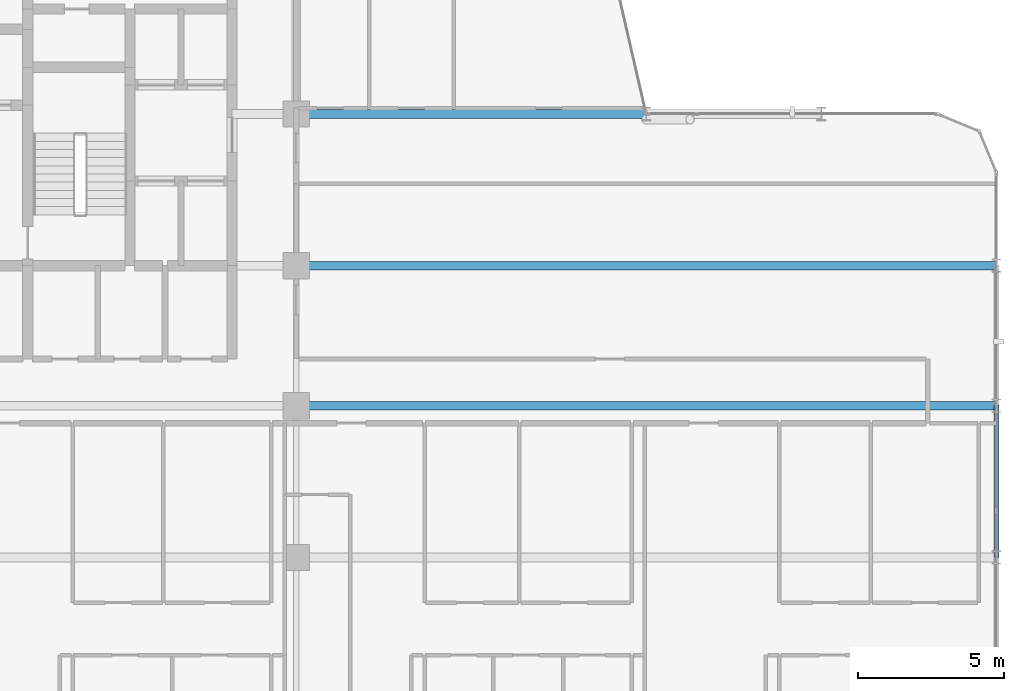
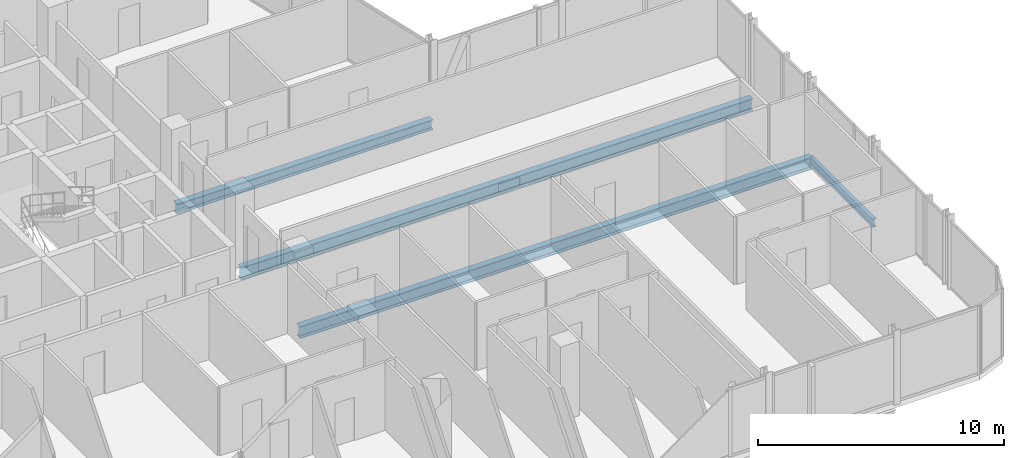
# One storey, part 13 of 29: 4 beams.
"""IFC4 building model written with IfcOpenShell, lengths in metres."""

from ifc_helpers import new_model, si_unit, direction, frame, origin, origin_2d, place, context, subcontext, project, spatial, i_section, extrude, material, material_profile, profile_set, type_object, element, save


model = new_model("IFC4")

# Units and contexts
model_context = context("Model", 3, precision=1e-05, world=origin(), true_north=direction((0.0, 1.0)))
body_context = subcontext(model_context, "Body", "Model", "MODEL_VIEW")
ifc_project = project(units=[si_unit("LENGTHUNIT", "METRE"), si_unit("AREAUNIT", "SQUARE_METRE"), si_unit("VOLUMEUNIT", "CUBIC_METRE"), si_unit("PLANEANGLEUNIT", "RADIAN"), si_unit("MASSUNIT", "GRAM", prefix="KILO")], contexts=[model_context])

# Site, building, storey
site_placement = place(None, origin())
site = spatial("IfcSite", under=ifc_project, at=site_placement, CompositionType="ELEMENT")
building_placement = place(site_placement, origin())
building = spatial("IfcBuilding", under=site, at=building_placement, Name="Keshet Zoharim Tower", CompositionType="ELEMENT")
storey_placement = place(building_placement, frame((0.0, 0.0, 180.199951171875)))
storey = spatial("IfcBuildingStorey", under=building, at=storey_placement, Name="L44", CompositionType="ELEMENT", Elevation=180.199951171875)

# Beams
ifc_material = material(Name="Steel S355", Category="steel")
ifc_material_profile_1 = material_profile(ifc_material, i_section(OverallWidth=0.300048828125, OverallDepth=0.60009765625, WebThickness=0.015380859375, FlangeThickness=0.030029296875, FilletRadius=0.027099609375, at=origin_2d()), Name="HEB600")
ifc_profile_set_1 = profile_set([ifc_material_profile_1], Name="Steel S355")
beam_type_1 = type_object("IfcBeamType", Name="BM-LNG-HB600", PredefinedType="BEAM", material=ifc_profile_set_1)
for number, where, z_axis, x_axis, name in (
    (1, (33.0, 17.89990234375, -0.60986328125), (1.0, 0.0, 0.0), (0.0, 1.0, 0.0), "L44 Primary Girder X-013"),
    (2, (33.0, 22.699951171875, -0.60986328125), (1.0, 0.0, 0.0), (0.0, 1.0, 0.0), "L44 Primary Girder X-014"),
):
    element("IfcBeam", number, at=place(storey_placement, frame(where, z_axis=z_axis, x_axis=x_axis)), inside=storey, type_object=beam_type_1, Name=name, PredefinedType="BEAM", context=body_context, shape_type="SweptSolid", body=[
        extrude(i_section(OverallWidth=0.300048828125, OverallDepth=0.60009765625, WebThickness=0.015380859375, FlangeThickness=0.030029296875, FilletRadius=0.027099609375, at=origin_2d()), origin(), (0.0, 0.0, 1.0), 24.0),
    ])
ifc_material_profile_2 = material_profile(ifc_material, i_section(OverallWidth=0.300048828125, OverallDepth=0.5, WebThickness=0.014404296875, FlangeThickness=0.028076171875, FilletRadius=0.027099609375, at=origin_2d()), Name="HEB500")
ifc_profile_set_2 = profile_set([ifc_material_profile_2], Name="Steel S355")
beam_type_2 = type_object("IfcBeamType", Name="BM-MED-HB500", PredefinedType="BEAM", material=ifc_profile_set_2)
beam_1_placement = place(storey_placement, frame((33.0, 27.89990234375, -0.56005859375), z_axis=(1.0, 0.0, 0.0), x_axis=(0.0, 1.0, 0.0)))
element("IfcBeam", 3, at=beam_1_placement, inside=storey, type_object=beam_type_2, Name="L44 Primary Girder X-015", PredefinedType="BEAM", context=body_context, shape_type="SweptSolid", body=[
    extrude(i_section(OverallWidth=0.300048828125, OverallDepth=0.5, WebThickness=0.014404296875, FlangeThickness=0.028076171875, FilletRadius=0.027099609375, at=origin_2d()), origin(), (0.0, 0.0, 1.0), 12.0),
])
ifc_material_profile_3 = material_profile(ifc_material, i_section(OverallWidth=0.179931640625, OverallDepth=0.39990234375, WebThickness=0.008544921875, FlangeThickness=0.013427734375, FilletRadius=0.02099609375, at=origin_2d()), Name="IPE400")
ifc_profile_set_3 = profile_set([ifc_material_profile_3], Name="Steel S355")
beam_type_3 = type_object("IfcBeamType", Name="BM-PRI-IP400", PredefinedType="BEAM", material=ifc_profile_set_3)
beam_2_placement = place(storey_placement, frame((57.0, 12.699951171875, -0.510009765625), z_axis=(0.0, 1.0, 0.0), x_axis=(-1.0, 0.0, 0.0)))
element("IfcBeam", 4, at=beam_2_placement, inside=storey, type_object=beam_type_3, Name="L44 Primary Girder Y-014", PredefinedType="BEAM", context=body_context, shape_type="SweptSolid", body=[
    extrude(i_section(OverallWidth=0.179931640625, OverallDepth=0.39990234375, WebThickness=0.008544921875, FlangeThickness=0.013427734375, FilletRadius=0.02099609375, at=origin_2d()), origin(), (0.0, 0.0, 1.0), 5.199951171875),
])

save(model, "model.ifc")
